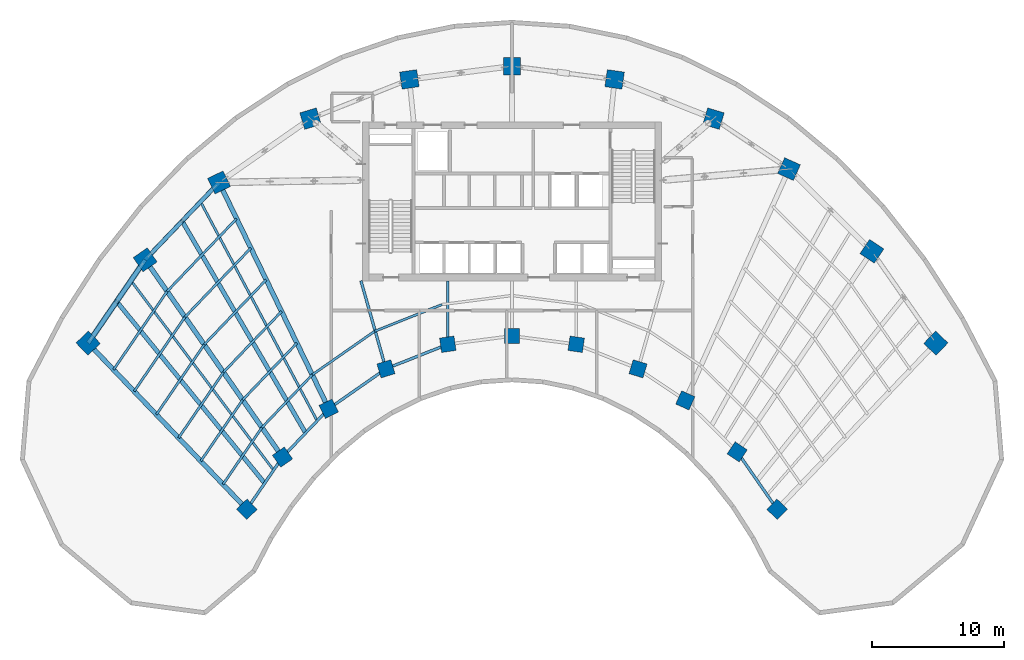
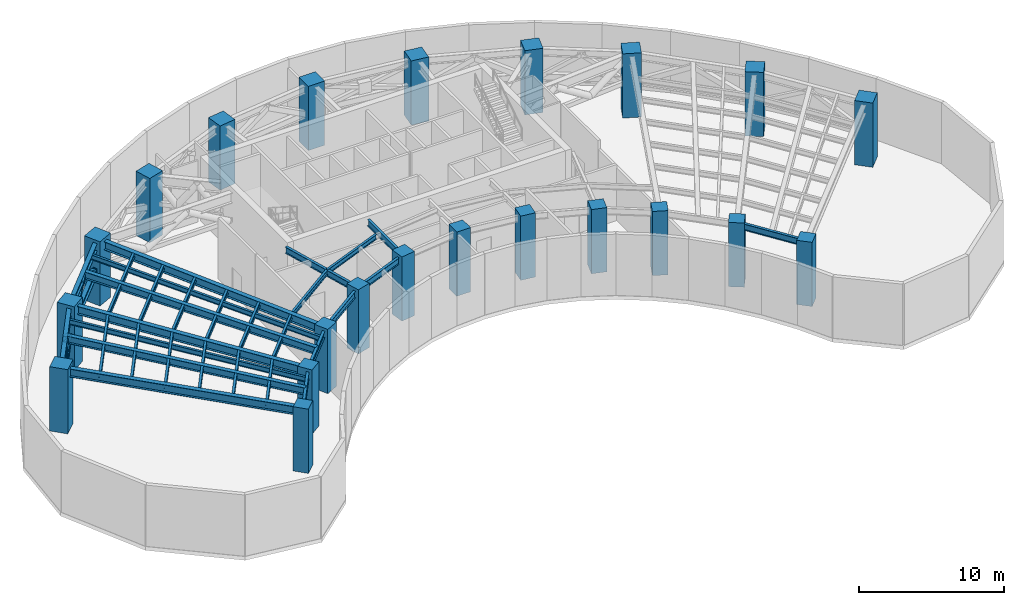
# One storey, part 1 of 10: 32 beams, 22 columns, 4 members.
"""IFC4 building model written with IfcOpenShell, lengths in metres."""

from ifc_helpers import new_model, si_unit, direction, frame, origin, origin_2d, place, context, subcontext, project, spatial, rectangle, hollow_rectangle, i_section, extrude, source, transform, mapped, material, material_profile, profile_set, type_object, type_shapes, element, save


model = new_model("IFC4")

# Units and contexts
model_context = context("Model", 3, precision=1e-05, world=origin(), true_north=direction((0.0, 1.0)))
body_context = subcontext(model_context, "Body", "Model", "MODEL_VIEW")
ifc_project = project(units=[si_unit("LENGTHUNIT", "METRE"), si_unit("AREAUNIT", "SQUARE_METRE"), si_unit("VOLUMEUNIT", "CUBIC_METRE"), si_unit("PLANEANGLEUNIT", "RADIAN"), si_unit("MASSUNIT", "GRAM", prefix="KILO")], contexts=[model_context])

# Site, building, storey
site_placement = place(None, origin())
site = spatial("IfcSite", under=ifc_project, at=site_placement, CompositionType="ELEMENT")
building_placement = place(site_placement, origin())
building = spatial("IfcBuilding", under=site, at=building_placement, Name="Breltana Convention Tower", CompositionType="ELEMENT")
storey_placement = place(building_placement, frame((0.0, 0.0, 85.800048828125)))
storey = spatial("IfcBuildingStorey", under=building, at=storey_placement, Name="L20", CompositionType="ELEMENT", Elevation=85.800048828125)

# Columns
ifc_material_1 = material(Name="Concrete C60/75", Category="concrete")
ifc_material_profile_1 = material_profile(ifc_material_1, rectangle(XDim=1.10009765625, YDim=1.10009765625, at=origin_2d()), Name="RC-COL-1100X1100")
ifc_profile_set_1 = profile_set([ifc_material_profile_1], Name="Concrete C60/75")
column_type_1 = type_object("IfcColumnType", Name="COL-RC-1100", PredefinedType="COLUMN", material=ifc_profile_set_1)
shared_shape_1 = source(origin(), body_context, "Body", "SweptSolid", [
    extrude(rectangle(XDim=1.10009765625, YDim=1.10009765625, at=origin_2d()), origin(), (0.0, 0.0, 1.0), 5.39990234375),
])
type_shapes(column_type_1, [shared_shape_1])
for number, where, z_axis, x_axis, name in (
    (1, (27.984619140625, 42.95458984375, 0.0), (0.0, 0.0, 1.0), (-0.690756218984, 0.723087716626, 0.0), "L20 Tower Column R01-IN"),
    (2, (30.67724609375, 46.892333984375, 0.0), (0.0, 0.0, 1.0), (-0.571143442153, 0.820850271661, 0.0), "L20 Tower Column R02-IN"),
    (3, (34.166259765625, 50.544921875, 0.0), (0.0, 0.0, 1.0), (-0.436173672171, 0.899862504889, 0.0), "L20 Tower Column R03-IN"),
    (4, (38.485107421875, 53.5576171875, 0.0), (0.0, 0.0, 1.0), (-0.288697611798, 0.957420330337, 0.0), "L20 Tower Column R04-IN"),
    (5, (43.153564453125, 55.41064453125, 0.0), (0.0, 0.0, 1.0), (-0.143492621991, 0.98965138682, 0.0), "L20 Tower Column R05-IN"),
    (6, (48.0, 56.035888671875, 0.0), (0.0, 0.0, 1.0), (0.0, 1.0, 0.0), "L20 Tower Column R06-IN"),
    (7, (52.846435546875, 55.41064453125, 0.0), (0.0, 0.0, 1.0), (0.143492621991, 0.98965138682, 0.0), "L20 Tower Column R07-IN"),
    (8, (57.514892578125, 53.5576171875, 0.0), (0.0, 0.0, 1.0), (0.288697611798, 0.957420330337, 0.0), "L20 Tower Column R08-IN"),
    (9, (61.08203125, 51.174560546875, 0.0), (0.0, 0.0, 1.0), (0.409126902895, 0.912477494148, 0.0), "L20 Tower Column R09-IN"),
    (10, (64.995849609375, 47.293701171875, 0.0), (0.0, 0.0, 1.0), (0.55774510898, 0.830012285095, 0.0), "L20 Tower Column R10-IN"),
    (11, (68.015380859375, 42.95458984375, 0.0), (0.0, 0.0, 1.0), (0.690756218984, 0.723087716626, 0.0), "L20 Tower Column R11-IN"),
):
    element("IfcColumn", number, at=place(storey_placement, frame(where, z_axis=z_axis, x_axis=x_axis)), inside=storey, type_object=column_type_1, Name=name, PredefinedType="COLUMN", context=body_context, shape_type="MappedRepresentation", body=[
        mapped(shared_shape_1, transform((0.0, 0.0, 0.0), scale=1.0)),
    ])
ifc_material_profile_2 = material_profile(ifc_material_1, rectangle(XDim=1.300048828125, YDim=1.300048828125, at=origin_2d()), Name="RC-COL-1300X1300")
ifc_profile_set_2 = profile_set([ifc_material_profile_2], Name="Concrete C60/75")
column_type_2 = type_object("IfcColumnType", Name="COL-RC-1300", PredefinedType="COLUMN", material=ifc_profile_set_2)
shared_shape_2 = source(origin(), body_context, "Body", "SweptSolid", [
    extrude(rectangle(XDim=1.300048828125, YDim=1.300048828125, at=origin_2d()), origin(), (0.0, 0.0, 1.0), 5.39990234375),
])
type_shapes(column_type_2, [shared_shape_2])
for number, where, z_axis, x_axis, name in (
    (12, (16.0068359375, 55.494384765625, 0.0), (0.0, 0.0, 1.0), (-0.690756218984, 0.723087716626, 0.0), "L20 Tower Column R01-OUT"),
    (13, (20.310791015625, 61.78857421875, 0.0), (0.0, 0.0, 1.0), (-0.571143442153, 0.820850271661, 0.0), "L20 Tower Column R02-OUT"),
    (14, (25.8876953125, 67.626953125, 0.0), (0.0, 0.0, 1.0), (-0.436173672171, 0.899862504889, 0.0), "L20 Tower Column R03-OUT"),
    (15, (32.791015625, 72.4423828125, 0.0), (0.0, 0.0, 1.0), (-0.288697611798, 0.957420330337, 0.0), "L20 Tower Column R04-OUT"),
    (16, (40.253173828125, 75.404296875, 0.0), (0.0, 0.0, 1.0), (-0.143492621991, 0.98965138682, 0.0), "L20 Tower Column R05-OUT"),
    (17, (48.0, 76.404052734375, 0.0), (0.0, 0.0, 1.0), (0.0, 1.0, 0.0), "L20 Tower Column R06-OUT"),
    (18, (55.746826171875, 75.404296875, 0.0), (0.0, 0.0, 1.0), (0.143492621991, 0.98965138682, 0.0), "L20 Tower Column R07-OUT"),
    (19, (63.208984375, 72.4423828125, 0.0), (0.0, 0.0, 1.0), (0.288697611798, 0.957420330337, 0.0), "L20 Tower Column R08-OUT"),
    (20, (68.910400390625, 68.63330078125, 0.0), (0.0, 0.0, 1.0), (0.409126902895, 0.912477494148, 0.0), "L20 Tower Column R09-OUT"),
    (21, (75.166748046875, 62.43017578125, 0.0), (0.0, 0.0, 1.0), (0.55774510898, 0.830012285095, 0.0), "L20 Tower Column R10-OUT"),
    (22, (79.9931640625, 55.494384765625, 0.0), (0.0, 0.0, 1.0), (0.690756218984, 0.723087716626, 0.0), "L20 Tower Column R11-OUT"),
):
    element("IfcColumn", number, at=place(storey_placement, frame(where, z_axis=z_axis, x_axis=x_axis)), inside=storey, type_object=column_type_2, Name=name, PredefinedType="COLUMN", context=body_context, shape_type="MappedRepresentation", body=[
        mapped(shared_shape_2, transform((0.0, 0.0, 0.0), scale=1.0)),
    ])

# Beams
ifc_material_2 = material(Name="Steel ASTM A992 Grade 50", Category="steel")
ifc_material_profile_3 = material_profile(ifc_material_2, i_section(OverallWidth=0.323974609375, OverallDepth=0.611083984375, WebThickness=0.0126953125, FlangeThickness=0.01904296875, at=origin_2d()), Name="W24X104")
ifc_profile_set_3 = profile_set([ifc_material_profile_3], Name="Steel ASTM A992 Grade 50")
beam_type_1 = type_object("IfcBeamType", Name="BM-SP-W24X104", PredefinedType="SPANDREL", material=ifc_profile_set_3)
shared_shape_3 = source(origin(), body_context, "Body", "SweptSolid", [
    extrude(i_section(OverallWidth=0.323974609375, OverallDepth=0.611083984375, WebThickness=0.0126953125, FlangeThickness=0.01904296875, at=origin_2d()), origin(), (0.0, 0.0, 1.0), 7.625),
])
type_shapes(beam_type_1, [shared_shape_3])
for number, where, z_axis, x_axis, name in (
    (23, (16.0068359375, 55.494384765625, 2.75), (0.564452031902, 0.825465870694, 0.0), (-0.825465870694, 0.564452031902, 0.0), "L20 Perimeter Belt Truss Sill Chord 01"),
    (24, (16.0068359375, 55.494384765625, 4.844482421875), (0.564452031902, 0.825465870694, 0.0), (-0.825465870694, 0.564452031902, 0.0), "L20 Outer Spandrel Beam 01"),
):
    element("IfcBeam", number, at=place(storey_placement, frame(where, z_axis=z_axis, x_axis=x_axis)), inside=storey, type_object=beam_type_1, Name=name, PredefinedType="SPANDREL", context=body_context, shape_type="MappedRepresentation", body=[
        mapped(shared_shape_3, transform((0.0, 0.0, 0.0), scale=1.0)),
    ])

# Members
ifc_material_3 = material(Name="Steel EN 10210 S355J2H", Category="steel")
ifc_material_profile_4 = material_profile(ifc_material_3, hollow_rectangle(XDim=0.39990234375, YDim=0.39990234375, WallThickness=0.01611328125, at=origin_2d()), Name="RHS400X400X16")
ifc_profile_set_4 = profile_set([ifc_material_profile_4], Name="Steel EN 10210 S355J2H")
member_type_1 = type_object("IfcMemberType", Name="MB-BR-RHS400X400X16", PredefinedType="BRACE", material=ifc_profile_set_4)
shared_shape_4 = source(origin(), body_context, "Body", "SweptSolid", [
    extrude(hollow_rectangle(XDim=0.39990234375, YDim=0.39990234375, WallThickness=0.01611328125, at=origin_2d()), origin(), (0.0, 0.0, 1.0), 3.812255859375),
])
type_shapes(member_type_1, [shared_shape_4])
for number, where, z_axis, x_axis, name in (
    (25, (16.3173828125, 55.948486328125, 2.75), (0.483071546665, 0.706451309991, 0.517270168688), (-0.825465080883, 0.564453186937, 0.0), "L20 Perimeter Belt Truss Brace 01A"),
    (26, (18.158935546875, 58.6416015625, 4.721923828125), (0.483071546665, 0.706451309991, -0.517270168688), (-0.825465080883, 0.564453186937, 0.0), "L20 Perimeter Belt Truss Brace 01B"),
):
    element("IfcMember", number, at=place(storey_placement, frame(where, z_axis=z_axis, x_axis=x_axis)), inside=storey, type_object=member_type_1, Name=name, PredefinedType="BRACE", context=body_context, shape_type="MappedRepresentation", body=[
        mapped(shared_shape_4, transform((0.0, 0.0, 0.0), scale=1.0)),
    ])

# Beams
shared_shape_5 = source(origin(), body_context, "Body", "SweptSolid", [
    extrude(i_section(OverallWidth=0.323974609375, OverallDepth=0.611083984375, WebThickness=0.0126953125, FlangeThickness=0.01904296875, at=origin_2d()), origin(), (0.0, 0.0, 1.0), 8.073974609375),
])
for number, where, z_axis, x_axis, name in (
    (27, (20.310791015625, 61.78857421875, 2.75), (0.69072885448, 0.723113856588, 0.0), (-0.723113856588, 0.69072885448, 0.0), "L20 Perimeter Belt Truss Sill Chord 02"),
    (28, (20.310791015625, 61.78857421875, 4.844482421875), (0.69072885448, 0.723113856588, 0.0), (-0.723113856588, 0.69072885448, 0.0), "L20 Outer Spandrel Beam 02"),
):
    element("IfcBeam", number, at=place(storey_placement, frame(where, z_axis=z_axis, x_axis=x_axis)), inside=storey, type_object=beam_type_1, Name=name, PredefinedType="SPANDREL", context=body_context, shape_type="MappedRepresentation", body=[
        mapped(shared_shape_5, transform((0.0, 0.0, 0.0), scale=1.0)),
    ])

# Members
ifc_material_profile_5 = material_profile(ifc_material_3, hollow_rectangle(XDim=0.300048828125, YDim=0.300048828125, WallThickness=0.011962890625, at=origin_2d()), Name="RHS300X300X12")
ifc_profile_set_5 = profile_set([ifc_material_profile_5], Name="Steel EN 10210 S355J2H")
member_type_2 = type_object("IfcMemberType", Name="MB-BR-RHS300X300X12", PredefinedType="BRACE", material=ifc_profile_set_5)
shared_shape_6 = source(origin(), body_context, "Body", "SweptSolid", [
    extrude(hollow_rectangle(XDim=0.300048828125, YDim=0.300048828125, WallThickness=0.011962890625, at=origin_2d()), origin(), (0.0, 0.0, 1.0), 4.005859375),
])
type_shapes(member_type_2, [shared_shape_6])
for number, where, z_axis, x_axis, name in (
    (29, (20.69091796875, 62.186279296875, 2.75), (0.601229684226, 0.629447559927, 0.492258708514), (-0.723129787631, 0.690712176121, 0.0), "L20 Perimeter Belt Truss Brace 02A"),
    (30, (23.099365234375, 64.707763671875, 4.721923828125), (0.601229684226, 0.629447559927, -0.492258708514), (-0.723129787631, 0.690712176121, 0.0), "L20 Perimeter Belt Truss Brace 02B"),
):
    element("IfcMember", number, at=place(storey_placement, frame(where, z_axis=z_axis, x_axis=x_axis)), inside=storey, type_object=member_type_2, Name=name, PredefinedType="BRACE", context=body_context, shape_type="MappedRepresentation", body=[
        mapped(shared_shape_6, transform((0.0, 0.0, 0.0), scale=1.0)),
    ])

# Beams
ifc_material_profile_6 = material_profile(ifc_material_2, i_section(OverallWidth=0.35498046875, OverallDepth=0.696044921875, WebThickness=0.015380859375, FlangeThickness=0.02490234375, at=origin_2d()), Name="W27X146")
ifc_profile_set_6 = profile_set([ifc_material_profile_6], Name="Steel ASTM A992 Grade 50")
beam_type_2 = type_object("IfcBeamType", Name="BM-RG-W27X146", PredefinedType="USERDEFINED", material=ifc_profile_set_6)
shared_shape_7 = source(origin(), body_context, "Body", "SweptSolid", [
    extrude(i_section(OverallWidth=0.35498046875, OverallDepth=0.696044921875, WebThickness=0.015380859375, FlangeThickness=0.02490234375, at=origin_2d()), origin(), (0.0, 0.0, 1.0), 17.341064453125),
])
type_shapes(beam_type_2, [shared_shape_7])
beam_1_placement = place(storey_placement, frame((27.984619140625, 42.95458984375, 4.802001953125), z_axis=(-0.690716462293, 0.723125693581, 0.0), x_axis=(-0.723125693581, -0.690716462293, 0.0)))
element("IfcBeam", 31, at=beam_1_placement, inside=storey, type_object=beam_type_2, Name="L20 Radial Floor Girder R01", ObjectType="GIRDER", PredefinedType="USERDEFINED", context=body_context, shape_type="MappedRepresentation", body=[
    mapped(shared_shape_7, transform((0.0, 0.0, 0.0), scale=1.0)),
])
shared_shape_8 = source(origin(), body_context, "Body", "SweptSolid", [
    extrude(i_section(OverallWidth=0.35498046875, OverallDepth=0.696044921875, WebThickness=0.015380859375, FlangeThickness=0.02490234375, at=origin_2d()), origin(), (0.0, 0.0, 1.0), 18.1484375),
])
beam_2_placement = place(storey_placement, frame((30.67724609375, 46.892333984375, 4.802001953125), z_axis=(-0.571207556098, 0.820805657788, 0.0), x_axis=(-0.820805657788, -0.571207556098, 0.0)))
element("IfcBeam", 32, at=beam_2_placement, inside=storey, type_object=beam_type_2, Name="L20 Radial Floor Girder R02", ObjectType="GIRDER", PredefinedType="USERDEFINED", context=body_context, shape_type="MappedRepresentation", body=[
    mapped(shared_shape_8, transform((0.0, 0.0, 0.0), scale=1.0)),
])
shared_shape_9 = source(origin(), body_context, "Body", "SweptSolid", [
    extrude(i_section(OverallWidth=0.35498046875, OverallDepth=0.696044921875, WebThickness=0.015380859375, FlangeThickness=0.02490234375, at=origin_2d()), origin(), (0.0, 0.0, 1.0), 18.982421875),
])
beam_3_placement = place(storey_placement, frame((34.166259765625, 50.544921875, 4.802001953125), z_axis=(-0.436118560343, 0.89988921614, 0.0), x_axis=(-0.89988921614, -0.436118560343, 0.0)))
element("IfcBeam", 33, at=beam_3_placement, inside=storey, type_object=beam_type_2, Name="L20 Radial Floor Girder R03", ObjectType="GIRDER", PredefinedType="USERDEFINED", context=body_context, shape_type="MappedRepresentation", body=[
    mapped(shared_shape_9, transform((0.0, 0.0, 0.0), scale=1.0)),
])
ifc_material_profile_7 = material_profile(ifc_material_2, i_section(OverallWidth=0.2099609375, OverallDepth=0.537109375, WebThickness=0.010986328125, FlangeThickness=0.017333984375, at=origin_2d()), Name="W21X68")
ifc_profile_set_7 = profile_set([ifc_material_profile_7], Name="Steel ASTM A992 Grade 50")
beam_type_3 = type_object("IfcBeamType", Name="BM-BM-W21X68", PredefinedType="BEAM", material=ifc_profile_set_7)
shared_shape_10 = source(origin(), body_context, "Body", "SweptSolid", [
    extrude(i_section(OverallWidth=0.2099609375, OverallDepth=0.537109375, WebThickness=0.010986328125, FlangeThickness=0.017333984375, at=origin_2d()), origin(), (0.0, 0.0, 1.0), 6.904541015625),
])
type_shapes(beam_type_3, [shared_shape_10])
beam_4_placement = place(storey_placement, frame((36.60009765625, 60.199951171875, 4.88134765625), z_axis=(0.273006781054, -0.962012108811, 0.0), x_axis=(0.962012108811, 0.273006781054, 0.0)))
element("IfcBeam", 34, at=beam_4_placement, inside=storey, type_object=beam_type_3, Name="L20 South Core Tie Girder R04", PredefinedType="BEAM", context=body_context, shape_type="MappedRepresentation", body=[
    mapped(shared_shape_10, transform((0.0, 0.0, 0.0), scale=1.0)),
])
shared_shape_11 = source(origin(), body_context, "Body", "SweptSolid", [
    extrude(i_section(OverallWidth=0.2099609375, OverallDepth=0.537109375, WebThickness=0.010986328125, FlangeThickness=0.017333984375, at=origin_2d()), origin(), (0.0, 0.0, 1.0), 4.789306640625),
])
beam_5_placement = place(storey_placement, frame((43.153564453125, 60.199951171875, 4.88134765625), z_axis=(0.0, -1.0, 0.0), x_axis=(1.0, 0.0, 0.0)))
element("IfcBeam", 35, at=beam_5_placement, inside=storey, type_object=beam_type_3, Name="L20 South Core Tie Girder R05", PredefinedType="BEAM", context=body_context, shape_type="MappedRepresentation", body=[
    mapped(shared_shape_11, transform((0.0, 0.0, 0.0), scale=1.0)),
])
shared_shape_12 = source(origin(), body_context, "Body", "SweptSolid", [
    extrude(i_section(OverallWidth=0.2099609375, OverallDepth=0.537109375, WebThickness=0.010986328125, FlangeThickness=0.017333984375, at=origin_2d()), origin(), (0.0, 0.0, 1.0), 4.770263671875),
])
beam_6_placement = place(storey_placement, frame((27.984619140625, 42.95458984375, 4.88134765625), z_axis=(0.564452719055, 0.82546540082, 0.0), x_axis=(-0.82546540082, 0.564452719055, 0.0)))
element("IfcBeam", 36, at=beam_6_placement, inside=storey, type_object=beam_type_3, Name="L20 Inner Ring Beam 01", PredefinedType="BEAM", context=body_context, shape_type="MappedRepresentation", body=[
    mapped(shared_shape_12, transform((0.0, 0.0, 0.0), scale=1.0)),
])
shared_shape_13 = source(origin(), body_context, "Body", "SweptSolid", [
    extrude(i_section(OverallWidth=0.2099609375, OverallDepth=0.537109375, WebThickness=0.010986328125, FlangeThickness=0.017333984375, at=origin_2d()), origin(), (0.0, 0.0, 1.0), 5.05126953125),
])
beam_7_placement = place(storey_placement, frame((30.67724609375, 46.892333984375, 4.88134765625), z_axis=(0.690729753845, 0.7231129975, 0.0), x_axis=(-0.7231129975, 0.690729753845, 0.0)))
element("IfcBeam", 37, at=beam_7_placement, inside=storey, type_object=beam_type_3, Name="L20 Inner Ring Beam 02", PredefinedType="BEAM", context=body_context, shape_type="MappedRepresentation", body=[
    mapped(shared_shape_13, transform((0.0, 0.0, 0.0), scale=1.0)),
])
shared_shape_14 = source(origin(), body_context, "Body", "SweptSolid", [
    extrude(i_section(OverallWidth=0.2099609375, OverallDepth=0.537109375, WebThickness=0.010986328125, FlangeThickness=0.017333984375, at=origin_2d()), origin(), (0.0, 0.0, 1.0), 5.265869140625),
])
beam_8_placement = place(storey_placement, frame((34.166259765625, 50.544921875, 4.88134765625), z_axis=(0.820167429517, 0.572123577176, 0.0), x_axis=(-0.572123577176, 0.820167429517, 0.0)))
element("IfcBeam", 38, at=beam_8_placement, inside=storey, type_object=beam_type_3, Name="L20 Inner Ring Beam 03", PredefinedType="BEAM", context=body_context, shape_type="MappedRepresentation", body=[
    mapped(shared_shape_14, transform((0.0, 0.0, 0.0), scale=1.0)),
])
shared_shape_15 = source(origin(), body_context, "Body", "SweptSolid", [
    extrude(i_section(OverallWidth=0.2099609375, OverallDepth=0.537109375, WebThickness=0.010986328125, FlangeThickness=0.017333984375, at=origin_2d()), origin(), (0.0, 0.0, 1.0), 5.022705078125),
])
beam_9_placement = place(storey_placement, frame((38.485107421875, 53.5576171875, 4.88134765625), z_axis=(0.929458966248, 0.368925507469, 0.0), x_axis=(-0.368925507469, 0.929458966248, 0.0)))
element("IfcBeam", 39, at=beam_9_placement, inside=storey, type_object=beam_type_3, Name="L20 Inner Ring Beam 04", PredefinedType="BEAM", context=body_context, shape_type="MappedRepresentation", body=[
    mapped(shared_shape_15, transform((0.0, 0.0, 0.0), scale=1.0)),
])
shared_shape_16 = source(origin(), body_context, "Body", "SweptSolid", [
    extrude(i_section(OverallWidth=0.2099609375, OverallDepth=0.537109375, WebThickness=0.010986328125, FlangeThickness=0.017333984375, at=origin_2d()), origin(), (0.0, 0.0, 1.0), 5.286376953125),
])
beam_10_placement = place(storey_placement, frame((64.995849609375, 47.293701171875, 4.88134765625), z_axis=(0.571194382458, -0.82081482531, 0.0), x_axis=(0.82081482531, 0.571194382458, 0.0)))
element("IfcBeam", 40, at=beam_10_placement, inside=storey, type_object=beam_type_3, Name="L20 Inner Ring Beam 10", PredefinedType="BEAM", context=body_context, shape_type="MappedRepresentation", body=[
    mapped(shared_shape_16, transform((0.0, 0.0, 0.0), scale=1.0)),
])
ifc_material_profile_8 = material_profile(ifc_material_2, i_section(OverallWidth=0.323974609375, OverallDepth=0.611083984375, WebThickness=0.0126953125, FlangeThickness=0.01904296875, at=origin_2d()), Name="W24X104")
ifc_profile_set_8 = profile_set([ifc_material_profile_8], Name="Steel ASTM A992 Grade 50")
beam_type_4 = type_object("IfcBeamType", Name="BM-JSG-01", PredefinedType="JOIST", material=ifc_profile_set_8)
shared_shape_17 = source(origin(), body_context, "Body", "SweptSolid", [
    extrude(i_section(OverallWidth=0.323974609375, OverallDepth=0.611083984375, WebThickness=0.0126953125, FlangeThickness=0.01904296875, at=origin_2d()), origin(), (0.0, 0.0, 1.0), 17.691650390625),
])
type_shapes(beam_type_4, [shared_shape_17])
beam_11_placement = place(storey_placement, frame((29.330810546875, 44.923583984375, 4.844482421875), z_axis=(-0.631476958478, 0.775394642044, 0.0), x_axis=(-0.775394642044, -0.631476958478, 0.0)))
element("IfcBeam", 41, at=beam_11_placement, inside=storey, type_object=beam_type_4, Name="L20 Mid-Bay Radial Trimmer 01", PredefinedType="JOIST", context=body_context, shape_type="MappedRepresentation", body=[
    mapped(shared_shape_17, transform((0.0, 0.0, 0.0), scale=1.0)),
])
ifc_material_profile_9 = material_profile(ifc_material_2, i_section(OverallWidth=0.179931640625, OverallDepth=0.4130859375, WebThickness=0.009765625, FlangeThickness=0.01611328125, at=origin_2d()), Name="W16X50")
ifc_profile_set_9 = profile_set([ifc_material_profile_9], Name="Steel ASTM A992 Grade 50")
beam_type_5 = type_object("IfcBeamType", Name="BM-JSG-08", PredefinedType="JOIST", material=ifc_profile_set_9)
shared_shape_18 = source(origin(), body_context, "Body", "SweptSolid", [
    extrude(i_section(OverallWidth=0.179931640625, OverallDepth=0.4130859375, WebThickness=0.009765625, FlangeThickness=0.01611328125, at=origin_2d()), origin(), (0.0, 0.0, 1.0), 17.9072265625),
])
beam_12_placement = place(storey_placement, frame((30.00390625, 45.907958984375, 4.943359375), z_axis=(-0.601382105028, 0.798961553363, 0.0), x_axis=(-0.798961553363, -0.601382105028, 0.0)))
element("IfcBeam", 42, at=beam_12_placement, inside=storey, type_object=beam_type_5, Name="L20 Quarter-Bay Radial Trimmer 01", PredefinedType="JOIST", context=body_context, shape_type="MappedRepresentation", body=[
    mapped(shared_shape_18, transform((0.0, 0.0, 0.0), scale=1.0)),
])
shared_shape_19 = source(origin(), body_context, "Body", "SweptSolid", [
    extrude(i_section(OverallWidth=0.323974609375, OverallDepth=0.611083984375, WebThickness=0.0126953125, FlangeThickness=0.01904296875, at=origin_2d()), origin(), (0.0, 0.0, 1.0), 18.50830078125),
])
beam_13_placement = place(storey_placement, frame((32.421630859375, 48.71875, 4.844482421875), z_axis=(-0.50368319637, 0.863888440537, 0.0), x_axis=(-0.863888440537, -0.50368319637, 0.0)))
element("IfcBeam", 43, at=beam_13_placement, inside=storey, type_object=beam_type_4, Name="L20 Mid-Bay Radial Trimmer 02", PredefinedType="JOIST", context=body_context, shape_type="MappedRepresentation", body=[
    mapped(shared_shape_19, transform((0.0, 0.0, 0.0), scale=1.0)),
])
shared_shape_20 = source(origin(), body_context, "Body", "SweptSolid", [
    extrude(i_section(OverallWidth=0.179931640625, OverallDepth=0.4130859375, WebThickness=0.009765625, FlangeThickness=0.01611328125, at=origin_2d()), origin(), (0.0, 0.0, 1.0), 18.731689453125),
])
beam_14_placement = place(storey_placement, frame((33.2939453125, 49.6318359375, 4.943359375), z_axis=(-0.469820250451, 0.882762104004, 0.0), x_axis=(-0.882762104004, -0.469820250451, 0.0)))
element("IfcBeam", 44, at=beam_14_placement, inside=storey, type_object=beam_type_5, Name="L20 Quarter-Bay Radial Trimmer 02", PredefinedType="JOIST", context=body_context, shape_type="MappedRepresentation", body=[
    mapped(shared_shape_20, transform((0.0, 0.0, 0.0), scale=1.0)),
])
shared_shape_21 = source(origin(), body_context, "Body", "SweptSolid", [
    extrude(i_section(OverallWidth=0.179931640625, OverallDepth=0.4130859375, WebThickness=0.009765625, FlangeThickness=0.01611328125, at=origin_2d()), origin(), (0.0, 0.0, 1.0), 5.198486328125),
])
beam_15_placement = place(storey_placement, frame((26.187744140625, 44.835693359375, 4.943359375), z_axis=(0.564502073134, 0.825431650367, 0.0), x_axis=(-0.825431650367, 0.564502073134, 0.0)))
element("IfcBeam", 45, at=beam_15_placement, inside=storey, type_object=beam_type_5, Name="L20 Composite Floor Joist 01.1", PredefinedType="JOIST", context=body_context, shape_type="MappedRepresentation", body=[
    mapped(shared_shape_21, transform((0.0, 0.0, 0.0), scale=1.0)),
])
shared_shape_22 = source(origin(), body_context, "Body", "SweptSolid", [
    extrude(i_section(OverallWidth=0.179931640625, OverallDepth=0.4130859375, WebThickness=0.009765625, FlangeThickness=0.01611328125, at=origin_2d()), origin(), (0.0, 0.0, 1.0), 5.59814453125),
])
beam_16_placement = place(storey_placement, frame((24.510986328125, 46.59130859375, 4.943359375), z_axis=(0.564454073219, 0.825464474842, 0.0), x_axis=(-0.825464474842, 0.564454073219, 0.0)))
element("IfcBeam", 46, at=beam_16_placement, inside=storey, type_object=beam_type_5, Name="L20 Composite Floor Joist 01.2", PredefinedType="JOIST", context=body_context, shape_type="MappedRepresentation", body=[
    mapped(shared_shape_22, transform((0.0, 0.0, 0.0), scale=1.0)),
])
shared_shape_23 = source(origin(), body_context, "Body", "SweptSolid", [
    extrude(i_section(OverallWidth=0.179931640625, OverallDepth=0.4130859375, WebThickness=0.009765625, FlangeThickness=0.01611328125, at=origin_2d()), origin(), (0.0, 0.0, 1.0), 5.998046875),
])
beam_17_placement = place(storey_placement, frame((22.833984375, 48.3466796875, 4.943359375), z_axis=(0.564467940449, 0.825454992235, 0.0), x_axis=(-0.825454992235, 0.564467940449, 0.0)))
element("IfcBeam", 47, at=beam_17_placement, inside=storey, type_object=beam_type_5, Name="L20 Composite Floor Joist 01.3", PredefinedType="JOIST", context=body_context, shape_type="MappedRepresentation", body=[
    mapped(shared_shape_23, transform((0.0, 0.0, 0.0), scale=1.0)),
])
shared_shape_24 = source(origin(), body_context, "Body", "SweptSolid", [
    extrude(i_section(OverallWidth=0.179931640625, OverallDepth=0.4130859375, WebThickness=0.009765625, FlangeThickness=0.01611328125, at=origin_2d()), origin(), (0.0, 0.0, 1.0), 6.3974609375),
])
beam_18_placement = place(storey_placement, frame((21.1572265625, 50.102294921875, 4.943359375), z_axis=(0.564445851125, 0.825470097065, 0.0), x_axis=(-0.825470097065, 0.564445851125, 0.0)))
element("IfcBeam", 48, at=beam_18_placement, inside=storey, type_object=beam_type_5, Name="L20 Composite Floor Joist 01.4", PredefinedType="JOIST", context=body_context, shape_type="MappedRepresentation", body=[
    mapped(shared_shape_24, transform((0.0, 0.0, 0.0), scale=1.0)),
])
shared_shape_25 = source(origin(), body_context, "Body", "SweptSolid", [
    extrude(i_section(OverallWidth=0.179931640625, OverallDepth=0.4130859375, WebThickness=0.009765625, FlangeThickness=0.01611328125, at=origin_2d()), origin(), (0.0, 0.0, 1.0), 6.79736328125),
])
beam_19_placement = place(storey_placement, frame((19.480224609375, 51.85791015625, 4.943359375), z_axis=(0.564475306504, 0.825449955083, 0.0), x_axis=(-0.825449955083, 0.564475306504, 0.0)))
element("IfcBeam", 49, at=beam_19_placement, inside=storey, type_object=beam_type_5, Name="L20 Composite Floor Joist 01.5", PredefinedType="JOIST", context=body_context, shape_type="MappedRepresentation", body=[
    mapped(shared_shape_25, transform((0.0, 0.0, 0.0), scale=1.0)),
])
shared_shape_26 = source(origin(), body_context, "Body", "SweptSolid", [
    extrude(i_section(OverallWidth=0.179931640625, OverallDepth=0.4130859375, WebThickness=0.009765625, FlangeThickness=0.01611328125, at=origin_2d()), origin(), (0.0, 0.0, 1.0), 7.16845703125),
])
beam_20_placement = place(storey_placement, frame((17.923095703125, 53.488037109375, 4.943359375), z_axis=(0.564470233585, 0.825453424123, 0.0), x_axis=(-0.825453424123, 0.564470233585, 0.0)))
element("IfcBeam", 50, at=beam_20_placement, inside=storey, type_object=beam_type_5, Name="L20 Composite Floor Joist 01.6", PredefinedType="JOIST", context=body_context, shape_type="MappedRepresentation", body=[
    mapped(shared_shape_26, transform((0.0, 0.0, 0.0), scale=1.0)),
])
shared_shape_27 = source(origin(), body_context, "Body", "SweptSolid", [
    extrude(i_section(OverallWidth=0.179931640625, OverallDepth=0.4130859375, WebThickness=0.009765625, FlangeThickness=0.01611328125, at=origin_2d()), origin(), (0.0, 0.0, 1.0), 5.504638671875),
])
beam_21_placement = place(storey_placement, frame((29.122314453125, 49.126708984375, 4.943359375), z_axis=(0.690687741728, 0.72315312585, 0.0), x_axis=(-0.72315312585, 0.690687741728, 0.0)))
element("IfcBeam", 51, at=beam_21_placement, inside=storey, type_object=beam_type_5, Name="L20 Composite Floor Joist 02.1", PredefinedType="JOIST", context=body_context, shape_type="MappedRepresentation", body=[
    mapped(shared_shape_27, transform((0.0, 0.0, 0.0), scale=1.0)),
])
shared_shape_28 = source(origin(), body_context, "Body", "SweptSolid", [
    extrude(i_section(OverallWidth=0.179931640625, OverallDepth=0.4130859375, WebThickness=0.009765625, FlangeThickness=0.01611328125, at=origin_2d()), origin(), (0.0, 0.0, 1.0), 5.927734375),
])
beam_22_placement = place(storey_placement, frame((27.6708984375, 51.21240234375, 4.943359375), z_axis=(0.69073528717, 0.723107711934, 0.0), x_axis=(-0.723107711934, 0.69073528717, 0.0)))
element("IfcBeam", 52, at=beam_22_placement, inside=storey, type_object=beam_type_5, Name="L20 Composite Floor Joist 02.2", PredefinedType="JOIST", context=body_context, shape_type="MappedRepresentation", body=[
    mapped(shared_shape_28, transform((0.0, 0.0, 0.0), scale=1.0)),
])
shared_shape_29 = source(origin(), body_context, "Body", "SweptSolid", [
    extrude(i_section(OverallWidth=0.179931640625, OverallDepth=0.4130859375, WebThickness=0.009765625, FlangeThickness=0.01611328125, at=origin_2d()), origin(), (0.0, 0.0, 1.0), 6.35107421875),
])
beam_23_placement = place(storey_placement, frame((26.2197265625, 53.2978515625, 4.943359375), z_axis=(0.69071799369, 0.723124230816, 0.0), x_axis=(-0.723124230816, 0.69071799369, 0.0)))
element("IfcBeam", 53, at=beam_23_placement, inside=storey, type_object=beam_type_5, Name="L20 Composite Floor Joist 02.3", PredefinedType="JOIST", context=body_context, shape_type="MappedRepresentation", body=[
    mapped(shared_shape_29, transform((0.0, 0.0, 0.0), scale=1.0)),
])
shared_shape_30 = source(origin(), body_context, "Body", "SweptSolid", [
    extrude(i_section(OverallWidth=0.179931640625, OverallDepth=0.4130859375, WebThickness=0.009765625, FlangeThickness=0.01611328125, at=origin_2d()), origin(), (0.0, 0.0, 1.0), 6.774169921875),
])
beam_24_placement = place(storey_placement, frame((24.768310546875, 55.38330078125, 4.943359375), z_axis=(0.690739707184, 0.723103489771, 0.0), x_axis=(-0.723103489771, 0.690739707184, 0.0)))
element("IfcBeam", 54, at=beam_24_placement, inside=storey, type_object=beam_type_5, Name="L20 Composite Floor Joist 02.4", PredefinedType="JOIST", context=body_context, shape_type="MappedRepresentation", body=[
    mapped(shared_shape_30, transform((0.0, 0.0, 0.0), scale=1.0)),
])
shared_shape_31 = source(origin(), body_context, "Body", "SweptSolid", [
    extrude(i_section(OverallWidth=0.179931640625, OverallDepth=0.4130859375, WebThickness=0.009765625, FlangeThickness=0.01611328125, at=origin_2d()), origin(), (0.0, 0.0, 1.0), 7.197265625),
])
beam_25_placement = place(storey_placement, frame((23.317138671875, 57.46875, 4.943359375), z_axis=(0.690741130438, 0.723102130214, 0.0), x_axis=(-0.723102130214, 0.690741130438, 0.0)))
element("IfcBeam", 55, at=beam_25_placement, inside=storey, type_object=beam_type_5, Name="L20 Composite Floor Joist 02.5", PredefinedType="JOIST", context=body_context, shape_type="MappedRepresentation", body=[
    mapped(shared_shape_31, transform((0.0, 0.0, 0.0), scale=1.0)),
])
shared_shape_32 = source(origin(), body_context, "Body", "SweptSolid", [
    extrude(i_section(OverallWidth=0.179931640625, OverallDepth=0.4130859375, WebThickness=0.009765625, FlangeThickness=0.01611328125, at=origin_2d()), origin(), (0.0, 0.0, 1.0), 7.59033203125),
])
beam_26_placement = place(storey_placement, frame((21.969482421875, 59.4052734375, 4.943359375), z_axis=(0.690742686271, 0.723100644007, 0.0), x_axis=(-0.723100644007, 0.690742686271, 0.0)))
element("IfcBeam", 56, at=beam_26_placement, inside=storey, type_object=beam_type_5, Name="L20 Composite Floor Joist 02.6", PredefinedType="JOIST", context=body_context, shape_type="MappedRepresentation", body=[
    mapped(shared_shape_32, transform((0.0, 0.0, 0.0), scale=1.0)),
])
shared_shape_33 = source(origin(), body_context, "Body", "SweptSolid", [
    extrude(i_section(OverallWidth=0.179931640625, OverallDepth=0.4130859375, WebThickness=0.009765625, FlangeThickness=0.01611328125, at=origin_2d()), origin(), (0.0, 0.0, 1.0), 5.738525390625),
])
beam_27_placement = place(storey_placement, frame((32.92431640625, 53.107421875, 4.943359375), z_axis=(0.820182201694, 0.572102399947, 0.0), x_axis=(-0.572102399947, 0.820182201694, 0.0)))
element("IfcBeam", 57, at=beam_27_placement, inside=storey, type_object=beam_type_5, Name="L20 Composite Floor Joist 03.1", PredefinedType="JOIST", context=body_context, shape_type="MappedRepresentation", body=[
    mapped(shared_shape_33, transform((0.0, 0.0, 0.0), scale=1.0)),
])
shared_shape_34 = source(origin(), body_context, "Body", "SweptSolid", [
    extrude(i_section(OverallWidth=0.179931640625, OverallDepth=0.4130859375, WebThickness=0.009765625, FlangeThickness=0.01611328125, at=origin_2d()), origin(), (0.0, 0.0, 1.0), 5.473876953125),
])
beam_28_placement = place(storey_placement, frame((37.630859375, 56.390380859375, 4.943359375), z_axis=(0.92945162863, 0.368943993091, 0.0), x_axis=(-0.368943993091, 0.92945162863, 0.0)))
element("IfcBeam", 58, at=beam_28_placement, inside=storey, type_object=beam_type_5, Name="L20 Composite Floor Joist 04.1", PredefinedType="JOIST", context=body_context, shape_type="MappedRepresentation", body=[
    mapped(shared_shape_34, transform((0.0, 0.0, 0.0), scale=1.0)),
])

save(model, "model.ifc")
